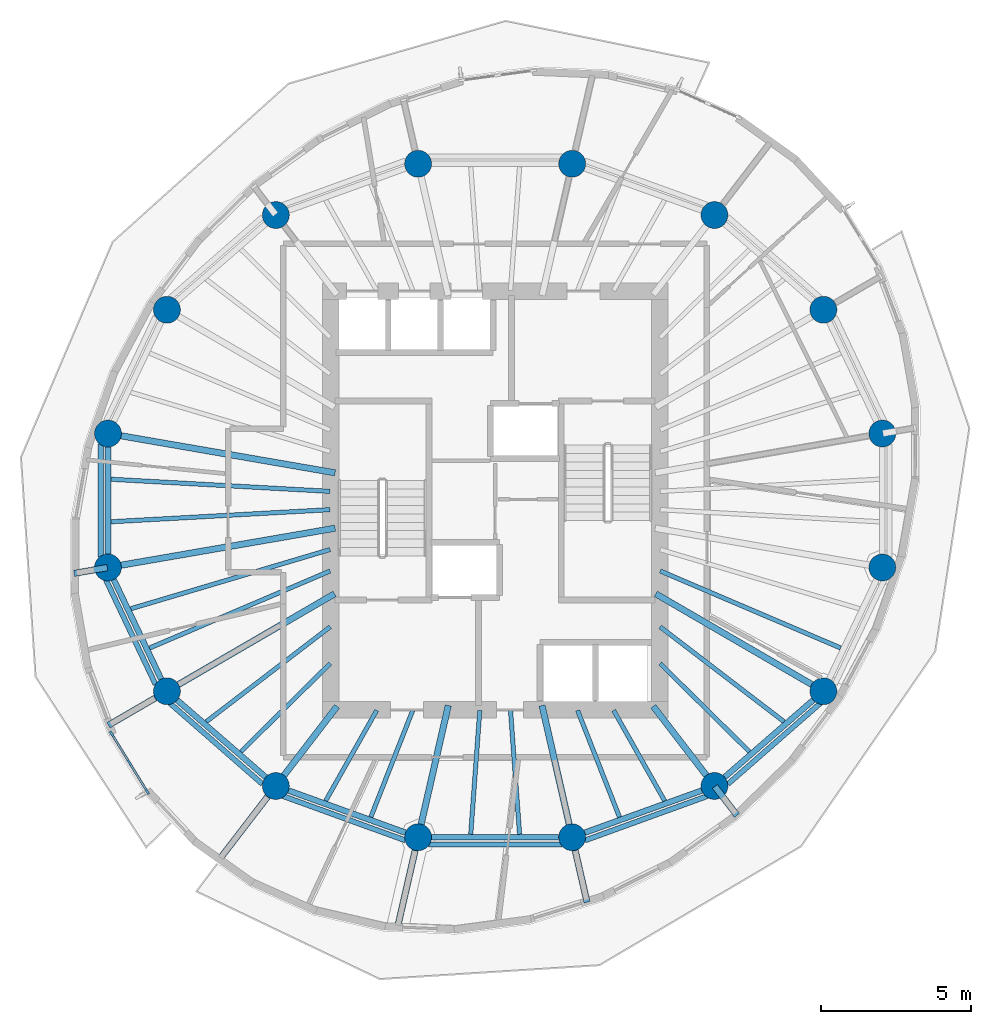
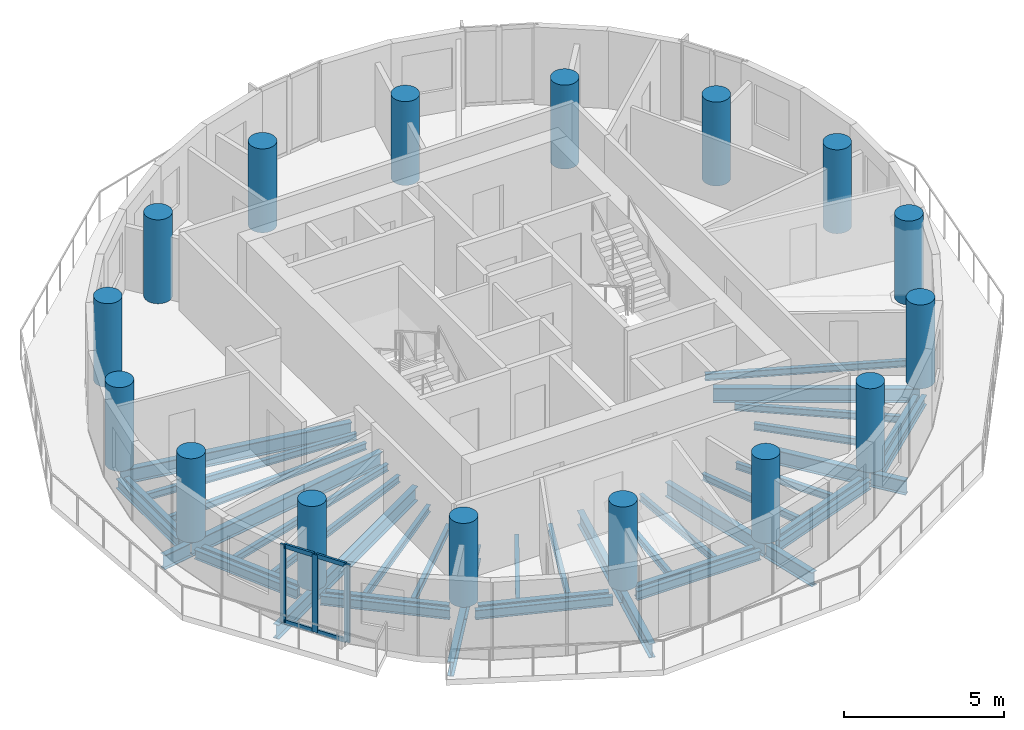
# One storey, part 1 of 10: 43 beams, 16 columns, 7 members, 1 element without a shape of its own.
"""IFC4 building model written with IfcOpenShell, lengths in metres."""

from ifc_helpers import new_model, si_unit, direction, frame, origin, origin_2d, place, context, subcontext, project, spatial, rectangle, circle, i_section, extrude, material, material_profile, profile_set, type_object, element, aggregate, save


model = new_model("IFC4")

# Units and contexts
model_context = context("Model", 3, precision=1e-05, world=origin(), true_north=direction((0.0, 1.0)))
body_context = subcontext(model_context, "Body", "Model", "MODEL_VIEW")
ifc_project = project(units=[si_unit("LENGTHUNIT", "METRE"), si_unit("AREAUNIT", "SQUARE_METRE"), si_unit("VOLUMEUNIT", "CUBIC_METRE"), si_unit("PLANEANGLEUNIT", "RADIAN"), si_unit("MASSUNIT", "GRAM", prefix="KILO")], contexts=[model_context])

# Site, building, storey
site_placement = place(None, origin())
site = spatial("IfcSite", under=ifc_project, at=site_placement, CompositionType="ELEMENT")
building_placement = place(site_placement, origin())
building = spatial("IfcBuilding", under=site, at=building_placement, Name="Veldorim Arch Residences", CompositionType="ELEMENT")
storey_placement = place(building_placement, frame((0.0, 0.0, 195.0400390625)))
storey = spatial("IfcBuildingStorey", under=building, at=storey_placement, Name="L58", CompositionType="ELEMENT", Elevation=195.0400390625)

# Columns
ifc_material_1 = material(Name="Concrete C50/60", Category="concrete")
ifc_material_profile_1 = material_profile(ifc_material_1, circle(Radius=0.449951171875, at=origin_2d()), Name="RC_CIRC_900")
ifc_profile_set_1 = profile_set([ifc_material_profile_1], Name="Concrete C50/60")
column_type = type_object("IfcColumnType", Name="Structural Column RC_CIRC_900", PredefinedType="COLUMN", material=ifc_profile_set_1)
for number, where, z_axis, x_axis, name in (
    (1, (44.9462890625, 26.239501953125, 0.0), (0.0, 0.0, 1.0), (1.0, 0.0, 0.0), "L58 TC-Z4-01 perimeter column"),
    (2, (42.975341796875, 30.3779296875, 0.0), (0.0, 0.0, 1.0), (1.0, 0.0, 0.0), "L58 TC-Z4-02 perimeter column"),
    (3, (39.33349609375, 33.54541015625, 0.0), (0.0, 0.0, 1.0), (1.0, 0.0, 0.0), "L58 TC-Z4-03 perimeter column"),
    (4, (34.5751953125, 35.259521484375, 0.0), (0.0, 0.0, 1.0), (1.0, 0.0, 0.0), "L58 TC-Z4-04 perimeter column"),
    (5, (29.4248046875, 35.259521484375, 0.0), (0.0, 0.0, 1.0), (1.0, 0.0, 0.0), "L58 TC-Z4-05 perimeter column"),
    (6, (24.66650390625, 33.54541015625, 0.0), (0.0, 0.0, 1.0), (1.0, 0.0, 0.0), "L58 TC-Z4-06 perimeter column"),
    (7, (21.024658203125, 30.3779296875, 0.0), (0.0, 0.0, 1.0), (1.0, 0.0, 0.0), "L58 TC-Z4-07 perimeter column"),
    (8, (19.0537109375, 26.239501953125, 0.0), (0.0, 0.0, 1.0), (1.0, 0.0, 0.0), "L58 TC-Z4-08 perimeter column"),
    (9, (19.0537109375, 21.760498046875, 0.0), (0.0, 0.0, 1.0), (1.0, 0.0, 0.0), "L58 TC-Z4-09 perimeter column"),
    (10, (21.024658203125, 17.6220703125, 0.0), (0.0, 0.0, 1.0), (1.0, 0.0, 0.0), "L58 TC-Z4-10 perimeter column"),
    (11, (24.66650390625, 14.45458984375, 0.0), (0.0, 0.0, 1.0), (1.0, 0.0, 0.0), "L58 TC-Z4-11 perimeter column"),
    (12, (29.4248046875, 12.740478515625, 0.0), (0.0, 0.0, 1.0), (1.0, 0.0, 0.0), "L58 TC-Z4-12 perimeter column"),
    (13, (34.5751953125, 12.740478515625, 0.0), (0.0, 0.0, 1.0), (1.0, 0.0, 0.0), "L58 TC-Z4-13 perimeter column"),
    (14, (39.33349609375, 14.45458984375, 0.0), (0.0, 0.0, 1.0), (1.0, 0.0, 0.0), "L58 TC-Z4-14 perimeter column"),
    (15, (42.975341796875, 17.6220703125, 0.0), (0.0, 0.0, 1.0), (1.0, 0.0, 0.0), "L58 TC-Z4-15 perimeter column"),
    (16, (44.9462890625, 21.760498046875, 0.0), (0.0, 0.0, 1.0), (1.0, 0.0, 0.0), "L58 TC-Z4-16 perimeter column"),
):
    element("IfcColumn", number, at=place(storey_placement, frame(where, z_axis=z_axis, x_axis=x_axis)), inside=storey, type_object=column_type, Name=name, PredefinedType="COLUMN", context=body_context, shape_type="SweptSolid", body=[
        extrude(circle(Radius=0.449951171875, at=origin_2d()), origin(), (0.0, 0.0, 1.0), 3.199951171875),
    ])

# Beams
ifc_material_2 = material(Name="Steel S355", Category="steel")
ifc_material_profile_2 = material_profile(ifc_material_2, i_section(OverallWidth=0.2119140625, OverallDepth=0.54443359375, WebThickness=0.0126953125, FlangeThickness=0.021240234375, at=origin_2d()), Name="UB533x210x122")
ifc_profile_set_2 = profile_set([ifc_material_profile_2], Name="Steel S355")
beam_type_1 = type_object("IfcBeamType", Name="Structural Steel Beam UB533x210x122", PredefinedType="BEAM", material=ifc_profile_set_2)
for number, where, z_axis, x_axis, name in (
    (17, (26.647705078125, 24.92578125, -0.512451171875), (-0.985364974081, 0.170457818401, 0.0), (-0.170457818401, -0.985364974081, 0.0), "L58 radial floor girder 08"),
    (18, (26.647705078125, 23.07421875, -0.512451171875), (-0.985364974081, -0.170457818401, 0.0), (0.170457818401, -0.985364974081, 0.0), "L58 radial floor girder 09"),
):
    element("IfcBeam", number, at=place(storey_placement, frame(where, z_axis=z_axis, x_axis=x_axis)), inside=storey, type_object=beam_type_1, Name=name, PredefinedType="BEAM", context=body_context, shape_type="SweptSolid", body=[
        extrude(i_section(OverallWidth=0.2119140625, OverallDepth=0.54443359375, WebThickness=0.0126953125, FlangeThickness=0.021240234375, at=origin_2d()), origin(), (0.0, 0.0, 1.0), 7.68701171875),
    ])
beam_1_placement = place(storey_placement, frame((19.033935546875, 21.757080078125, -0.512451171875), z_axis=(-0.985354711989, -0.170517129816, 0.0), x_axis=(0.170517129816, -0.985354711989, 0.0)))
element("IfcBeam", 19, at=beam_1_placement, inside=storey, type_object=beam_type_1, Name="L58 radial edge cantilever girder 09", PredefinedType="BEAM", context=body_context, shape_type="SweptSolid", body=[
    extrude(i_section(OverallWidth=0.2119140625, OverallDepth=0.54443359375, WebThickness=0.0126953125, FlangeThickness=0.021240234375, at=origin_2d()), origin(), (0.0, 0.0, 1.0), 1.12548828125),
])
beam_2_placement = place(storey_placement, frame((26.629638671875, 20.87939453125, -0.512451171875), z_axis=(-0.864595736304, -0.502468121142, 0.0), x_axis=(0.502468121142, -0.864595736304, 0.0)))
element("IfcBeam", 20, at=beam_2_placement, inside=storey, type_object=beam_type_1, Name="L58 radial floor girder 10", PredefinedType="BEAM", context=body_context, shape_type="SweptSolid", body=[
    extrude(i_section(OverallWidth=0.2119140625, OverallDepth=0.54443359375, WebThickness=0.0126953125, FlangeThickness=0.021240234375, at=origin_2d()), origin(), (0.0, 0.0, 1.0), 6.462646484375),
])
beam_3_placement = place(storey_placement, frame((21.00732421875, 17.612060546875, -0.512451171875), z_axis=(-0.86461626896, -0.502432788988, 0.0), x_axis=(0.502432788988, -0.86461626896, 0.0)))
element("IfcBeam", 21, at=beam_3_placement, inside=storey, type_object=beam_type_1, Name="L58 radial edge cantilever girder 10", PredefinedType="BEAM", context=body_context, shape_type="SweptSolid", body=[
    extrude(i_section(OverallWidth=0.2119140625, OverallDepth=0.54443359375, WebThickness=0.0126953125, FlangeThickness=0.021240234375, at=origin_2d()), origin(), (0.0, 0.0, 1.0), 2.238525390625),
])
beam_4_placement = place(storey_placement, frame((26.71337890625, 17.118896484375, -0.512451171875), z_axis=(-0.609258442308, -0.792971721108, 0.0), x_axis=(0.792971721108, -0.609258442308, 0.0)))
element("IfcBeam", 22, at=beam_4_placement, inside=storey, type_object=beam_type_1, Name="L58 radial floor girder 11", PredefinedType="BEAM", context=body_context, shape_type="SweptSolid", body=[
    extrude(i_section(OverallWidth=0.2119140625, OverallDepth=0.54443359375, WebThickness=0.0126953125, FlangeThickness=0.021240234375, at=origin_2d()), origin(), (0.0, 0.0, 1.0), 3.339599609375),
])
beam_5_placement = place(storey_placement, frame((24.654296875, 14.438720703125, -0.512451171875), z_axis=(-0.609260847512, -0.792969873128, 0.0), x_axis=(0.792969873128, -0.609260847512, 0.0)))
element("IfcBeam", 23, at=beam_5_placement, inside=storey, type_object=beam_type_1, Name="L58 radial edge cantilever girder 11", PredefinedType="BEAM", context=body_context, shape_type="SweptSolid", body=[
    extrude(i_section(OverallWidth=0.2119140625, OverallDepth=0.54443359375, WebThickness=0.0126953125, FlangeThickness=0.021240234375, at=origin_2d()), origin(), (0.0, 0.0, 1.0), 3.09521484375),
])
beam_6_placement = place(storey_placement, frame((30.432373046875, 17.146240234375, -0.512451171875), z_axis=(-0.222952976993, -0.97482920045, 0.0), x_axis=(0.97482920045, -0.222952976993, 0.0)))
element("IfcBeam", 24, at=beam_6_placement, inside=storey, type_object=beam_type_1, Name="L58 radial floor girder 12", PredefinedType="BEAM", context=body_context, shape_type="SweptSolid", body=[
    extrude(i_section(OverallWidth=0.2119140625, OverallDepth=0.54443359375, WebThickness=0.0126953125, FlangeThickness=0.021240234375, at=origin_2d()), origin(), (0.0, 0.0, 1.0), 4.49951171875),
])
beam_7_placement = place(storey_placement, frame((29.42041015625, 12.72119140625, -0.512451171875), z_axis=(-0.222992392333, -0.974820184937, 0.0), x_axis=(0.974820184937, -0.222992392333, 0.0)))
element("IfcBeam", 25, at=beam_7_placement, inside=storey, type_object=beam_type_1, Name="L58 radial edge cantilever girder 12", PredefinedType="BEAM", context=body_context, shape_type="SweptSolid", body=[
    extrude(i_section(OverallWidth=0.2119140625, OverallDepth=0.54443359375, WebThickness=0.0126953125, FlangeThickness=0.021240234375, at=origin_2d()), origin(), (0.0, 0.0, 1.0), 3.085205078125),
])
beam_8_placement = place(storey_placement, frame((33.567626953125, 17.146240234375, -0.512451171875), z_axis=(0.222952976993, -0.97482920045, 0.0), x_axis=(0.97482920045, 0.222952976993, 0.0)))
element("IfcBeam", 26, at=beam_8_placement, inside=storey, type_object=beam_type_1, Name="L58 radial floor girder 13", PredefinedType="BEAM", context=body_context, shape_type="SweptSolid", body=[
    extrude(i_section(OverallWidth=0.2119140625, OverallDepth=0.54443359375, WebThickness=0.0126953125, FlangeThickness=0.021240234375, at=origin_2d()), origin(), (0.0, 0.0, 1.0), 4.49951171875),
])
beam_9_placement = place(storey_placement, frame((34.57958984375, 12.72119140625, -0.512451171875), z_axis=(0.223010839713, -0.974815964872, 0.0), x_axis=(0.974815964872, 0.223010839713, 0.0)))
element("IfcBeam", 27, at=beam_9_placement, inside=storey, type_object=beam_type_1, Name="L58 radial edge cantilever girder 13", PredefinedType="BEAM", context=body_context, shape_type="SweptSolid", body=[
    extrude(i_section(OverallWidth=0.2119140625, OverallDepth=0.54443359375, WebThickness=0.0126953125, FlangeThickness=0.021240234375, at=origin_2d()), origin(), (0.0, 0.0, 1.0), 2.209228515625),
])
beam_10_placement = place(storey_placement, frame((37.28662109375, 17.118896484375, -0.512451171875), z_axis=(0.609258442308, -0.792971721108, 0.0), x_axis=(0.792971721108, 0.609258442308, 0.0)))
element("IfcBeam", 28, at=beam_10_placement, inside=storey, type_object=beam_type_1, Name="L58 radial floor girder 14", PredefinedType="BEAM", context=body_context, shape_type="SweptSolid", body=[
    extrude(i_section(OverallWidth=0.2119140625, OverallDepth=0.54443359375, WebThickness=0.0126953125, FlangeThickness=0.021240234375, at=origin_2d()), origin(), (0.0, 0.0, 1.0), 3.339599609375),
])
beam_11_placement = place(storey_placement, frame((39.345703125, 14.438720703125, -0.512451171875), z_axis=(0.609217205993, -0.793003402214, 0.0), x_axis=(0.793003402214, 0.609217205993, 0.0)))
element("IfcBeam", 29, at=beam_11_placement, inside=storey, type_object=beam_type_1, Name="L58 radial edge cantilever girder 14", PredefinedType="BEAM", context=body_context, shape_type="SweptSolid", body=[
    extrude(i_section(OverallWidth=0.2119140625, OverallDepth=0.54443359375, WebThickness=0.0126953125, FlangeThickness=0.021240234375, at=origin_2d()), origin(), (0.0, 0.0, 1.0), 1.219482421875),
])
beam_12_placement = place(storey_placement, frame((37.370361328125, 20.87939453125, -0.512451171875), z_axis=(0.864595736304, -0.502468121142, 0.0), x_axis=(0.502468121142, 0.864595736304, 0.0)))
element("IfcBeam", 30, at=beam_12_placement, inside=storey, type_object=beam_type_1, Name="L58 radial floor girder 15", PredefinedType="BEAM", context=body_context, shape_type="SweptSolid", body=[
    extrude(i_section(OverallWidth=0.2119140625, OverallDepth=0.54443359375, WebThickness=0.0126953125, FlangeThickness=0.021240234375, at=origin_2d()), origin(), (0.0, 0.0, 1.0), 6.462646484375),
])
ifc_material_3 = material(Name="Steel S355", Category="steel")
ifc_material_profile_3 = material_profile(ifc_material_3, i_section(OverallWidth=0.146484375, OverallDepth=0.256103515625, WebThickness=0.00634765625, FlangeThickness=0.010986328125, at=origin_2d()), Name="UB254x146x37")
ifc_profile_set_3 = profile_set([ifc_material_profile_3], Name="Steel S355")
beam_type_2 = type_object("IfcBeamType", Name="Structural Steel Joist UB254x146x37", PredefinedType="JOIST", material=ifc_profile_set_3)
for number, where, z_axis, x_axis, name in (
    (31, (26.47998046875, 24.3056640625, -0.367919921875), (-0.998472000884, 0.055259962464, 0.0), (-0.055259962464, -0.998472000884, 0.0), "L58 secondary radial floor joist 08-1"),
    (32, (26.47998046875, 23.6943359375, -0.367919921875), (-0.998472000884, -0.055259962464, 0.0), (0.055259962464, -0.998472000884, 0.0), "L58 secondary radial floor joist 08-2"),
):
    element("IfcBeam", number, at=place(storey_placement, frame(where, z_axis=z_axis, x_axis=x_axis)), inside=storey, type_object=beam_type_2, Name=name, PredefinedType="JOIST", context=body_context, shape_type="SweptSolid", body=[
        extrude(i_section(OverallWidth=0.146484375, OverallDepth=0.256103515625, WebThickness=0.00634765625, FlangeThickness=0.010986328125, at=origin_2d()), origin(), (0.0, 0.0, 1.0), 7.33837890625),
    ])
beam_13_placement = place(storey_placement, frame((26.480712890625, 22.360595703125, -0.367919921875), z_axis=(-0.958594432792, -0.284774846889, 0.0), x_axis=(0.284774846889, -0.958594432792, 0.0)))
element("IfcBeam", 33, at=beam_13_placement, inside=storey, type_object=beam_type_2, Name="L58 secondary radial floor joist 09-1", PredefinedType="JOIST", context=body_context, shape_type="SweptSolid", body=[
    extrude(i_section(OverallWidth=0.146484375, OverallDepth=0.256103515625, WebThickness=0.00634765625, FlangeThickness=0.010986328125, at=origin_2d()), origin(), (0.0, 0.0, 1.0), 6.949462890625),
])
beam_14_placement = place(storey_placement, frame((26.481689453125, 21.644287109375, -0.367919921875), z_axis=(-0.919725161652, -0.392562895629, 0.0), x_axis=(0.392562895629, -0.919725161652, 0.0)))
element("IfcBeam", 34, at=beam_14_placement, inside=storey, type_object=beam_type_2, Name="L58 secondary radial floor joist 09-2", PredefinedType="JOIST", context=body_context, shape_type="SweptSolid", body=[
    extrude(i_section(OverallWidth=0.146484375, OverallDepth=0.256103515625, WebThickness=0.00634765625, FlangeThickness=0.010986328125, at=origin_2d()), origin(), (0.0, 0.0, 1.0), 6.5625),
])
beam_15_placement = place(storey_placement, frame((26.484130859375, 19.777099609375, -0.367919921875), z_axis=(-0.794013672216, -0.607899899929, 0.0), x_axis=(0.607899899929, -0.794013672216, 0.0)))
element("IfcBeam", 35, at=beam_15_placement, inside=storey, type_object=beam_type_2, Name="L58 secondary radial floor joist 10-1", PredefinedType="JOIST", context=body_context, shape_type="SweptSolid", body=[
    extrude(i_section(OverallWidth=0.146484375, OverallDepth=0.256103515625, WebThickness=0.00634765625, FlangeThickness=0.010986328125, at=origin_2d()), origin(), (0.0, 0.0, 1.0), 5.217041015625),
])
beam_16_placement = place(storey_placement, frame((26.48583984375, 18.55224609375, -0.367919921875), z_axis=(-0.711396725432, -0.702790650937, 0.0), x_axis=(0.702790650937, -0.711396725432, 0.0)))
element("IfcBeam", 36, at=beam_16_placement, inside=storey, type_object=beam_type_2, Name="L58 secondary radial floor joist 10-2", PredefinedType="JOIST", context=body_context, shape_type="SweptSolid", body=[
    extrude(i_section(OverallWidth=0.146484375, OverallDepth=0.256103515625, WebThickness=0.00634765625, FlangeThickness=0.010986328125, at=origin_2d()), origin(), (0.0, 0.0, 1.0), 4.198486328125),
])
beam_17_placement = place(storey_placement, frame((28.039794921875, 16.982666015625, -0.367919921875), z_axis=(-0.491452469585, -0.870904397818, 0.0), x_axis=(0.870904397818, -0.491452469585, 0.0)))
element("IfcBeam", 37, at=beam_17_placement, inside=storey, type_object=beam_type_2, Name="L58 secondary radial floor joist 11-1", PredefinedType="JOIST", context=body_context, shape_type="SweptSolid", body=[
    extrude(i_section(OverallWidth=0.146484375, OverallDepth=0.256103515625, WebThickness=0.00634765625, FlangeThickness=0.010986328125, at=origin_2d()), origin(), (0.0, 0.0, 1.0), 3.472412109375),
])
beam_18_placement = place(storey_placement, frame((29.24365234375, 16.9814453125, -0.367919921875), z_axis=(-0.365581383042, -0.930779379001, 0.0), x_axis=(0.930779379001, -0.365581383042, 0.0)))
element("IfcBeam", 38, at=beam_18_placement, inside=storey, type_object=beam_type_2, Name="L58 secondary radial floor joist 11-2", PredefinedType="JOIST", context=body_context, shape_type="SweptSolid", body=[
    extrude(i_section(OverallWidth=0.146484375, OverallDepth=0.256103515625, WebThickness=0.00634765625, FlangeThickness=0.010986328125, at=origin_2d()), origin(), (0.0, 0.0, 1.0), 3.83056640625),
])
for number, where, z_axis, x_axis, name in (
    (39, (31.486083984375, 16.97998046875, -0.367919921875), (-0.072985625899, -0.997332992742, 0.0), (0.997332992742, -0.072985625899, 0.0), "L58 secondary radial floor joist 12-1"),
    (40, (32.513916015625, 16.97998046875, -0.367919921875), (0.072985625899, -0.997332992742, 0.0), (0.997332992742, 0.072985625899, 0.0), "L58 secondary radial floor joist 12-2"),
):
    element("IfcBeam", number, at=place(storey_placement, frame(where, z_axis=z_axis, x_axis=x_axis)), inside=storey, type_object=beam_type_2, Name=name, PredefinedType="JOIST", context=body_context, shape_type="SweptSolid", body=[
        extrude(i_section(OverallWidth=0.146484375, OverallDepth=0.256103515625, WebThickness=0.00634765625, FlangeThickness=0.010986328125, at=origin_2d()), origin(), (0.0, 0.0, 1.0), 4.151123046875),
    ])
beam_19_placement = place(storey_placement, frame((34.75634765625, 16.9814453125, -0.367919921875), z_axis=(0.365581383042, -0.930779379001, 0.0), x_axis=(0.930779379001, 0.365581383042, 0.0)))
element("IfcBeam", 41, at=beam_19_placement, inside=storey, type_object=beam_type_2, Name="L58 secondary radial floor joist 13-1", PredefinedType="JOIST", context=body_context, shape_type="SweptSolid", body=[
    extrude(i_section(OverallWidth=0.146484375, OverallDepth=0.256103515625, WebThickness=0.00634765625, FlangeThickness=0.010986328125, at=origin_2d()), origin(), (0.0, 0.0, 1.0), 3.83056640625),
])
beam_20_placement = place(storey_placement, frame((35.960205078125, 16.982666015625, -0.367919921875), z_axis=(0.491452469585, -0.870904397818, 0.0), x_axis=(0.870904397818, 0.491452469585, 0.0)))
element("IfcBeam", 42, at=beam_20_placement, inside=storey, type_object=beam_type_2, Name="L58 secondary radial floor joist 13-2", PredefinedType="JOIST", context=body_context, shape_type="SweptSolid", body=[
    extrude(i_section(OverallWidth=0.146484375, OverallDepth=0.256103515625, WebThickness=0.00634765625, FlangeThickness=0.010986328125, at=origin_2d()), origin(), (0.0, 0.0, 1.0), 3.472412109375),
])
beam_21_placement = place(storey_placement, frame((37.51416015625, 18.55224609375, -0.367919921875), z_axis=(0.711396725432, -0.702790650937, 0.0), x_axis=(0.702790650937, 0.711396725432, 0.0)))
element("IfcBeam", 43, at=beam_21_placement, inside=storey, type_object=beam_type_2, Name="L58 secondary radial floor joist 14-1", PredefinedType="JOIST", context=body_context, shape_type="SweptSolid", body=[
    extrude(i_section(OverallWidth=0.146484375, OverallDepth=0.256103515625, WebThickness=0.00634765625, FlangeThickness=0.010986328125, at=origin_2d()), origin(), (0.0, 0.0, 1.0), 4.198486328125),
])
beam_22_placement = place(storey_placement, frame((37.515869140625, 19.777099609375, -0.367919921875), z_axis=(0.794013672216, -0.607899899929, 0.0), x_axis=(0.607899899929, 0.794013672216, 0.0)))
element("IfcBeam", 44, at=beam_22_placement, inside=storey, type_object=beam_type_2, Name="L58 secondary radial floor joist 14-2", PredefinedType="JOIST", context=body_context, shape_type="SweptSolid", body=[
    extrude(i_section(OverallWidth=0.146484375, OverallDepth=0.256103515625, WebThickness=0.00634765625, FlangeThickness=0.010986328125, at=origin_2d()), origin(), (0.0, 0.0, 1.0), 5.217041015625),
])
beam_23_placement = place(storey_placement, frame((37.518310546875, 21.644287109375, -0.367919921875), z_axis=(0.919725161652, -0.392562895629, 0.0), x_axis=(0.392562895629, 0.919725161652, 0.0)))
element("IfcBeam", 45, at=beam_23_placement, inside=storey, type_object=beam_type_2, Name="L58 secondary radial floor joist 15-1", PredefinedType="JOIST", context=body_context, shape_type="SweptSolid", body=[
    extrude(i_section(OverallWidth=0.146484375, OverallDepth=0.256103515625, WebThickness=0.00634765625, FlangeThickness=0.010986328125, at=origin_2d()), origin(), (0.0, 0.0, 1.0), 6.5625),
])
ifc_material_4 = material(Name="Steel S355", Category="steel")
ifc_material_profile_4 = material_profile(ifc_material_4, i_section(OverallWidth=0.172119140625, OverallDepth=0.35791015625, WebThickness=0.008056640625, FlangeThickness=0.012939453125, at=origin_2d()), Name="UB356x171x57")
ifc_profile_set_4 = profile_set([ifc_material_profile_4], Name="Steel S355")
beam_type_3 = type_object("IfcBeamType", Name="Structural Steel Spandrel UB356x171x57", PredefinedType="SPANDREL", material=ifc_profile_set_4)
beam_24_placement = place(storey_placement, frame((18.809814453125, 25.8857421875, -0.43896484375), z_axis=(0.0, -1.0, 0.0), x_axis=(1.0, 0.0, 0.0)))
element("IfcBeam", 46, at=beam_24_placement, inside=storey, type_object=beam_type_3, Name="L58 perimeter chord spandrel beam 08", PredefinedType="SPANDREL", context=body_context, shape_type="SweptSolid", body=[
    extrude(i_section(OverallWidth=0.172119140625, OverallDepth=0.35791015625, WebThickness=0.008056640625, FlangeThickness=0.012939453125, at=origin_2d()), origin(), (0.0, 0.0, 1.0), 3.771484375),
])
beam_25_placement = place(storey_placement, frame((18.9794921875, 21.3603515625, -0.43896484375), z_axis=(0.428408308939, -0.903585259304, 0.0), x_axis=(0.903585259304, 0.428408308939, 0.0)))
element("IfcBeam", 47, at=beam_25_placement, inside=storey, type_object=beam_type_3, Name="L58 perimeter chord spandrel beam 09", PredefinedType="SPANDREL", context=body_context, shape_type="SweptSolid", body=[
    extrude(i_section(OverallWidth=0.172119140625, OverallDepth=0.35791015625, WebThickness=0.008056640625, FlangeThickness=0.012939453125, at=origin_2d()), origin(), (0.0, 0.0, 1.0), 3.878662109375),
])
beam_26_placement = place(storey_placement, frame((21.108642578125, 17.237060546875, -0.43896484375), z_axis=(0.752847646119, -0.6581948205, 0.0), x_axis=(0.6581948205, 0.752847646119, 0.0)))
element("IfcBeam", 48, at=beam_26_placement, inside=storey, type_object=beam_type_3, Name="L58 perimeter chord spandrel beam 10", PredefinedType="SPANDREL", context=body_context, shape_type="SweptSolid", body=[
    extrude(i_section(OverallWidth=0.172119140625, OverallDepth=0.35791015625, WebThickness=0.008056640625, FlangeThickness=0.012939453125, at=origin_2d()), origin(), (0.0, 0.0, 1.0), 4.12939453125),
])
beam_27_placement = place(storey_placement, frame((24.887939453125, 14.12353515625, -0.43896484375), z_axis=(0.940164695555, -0.340720332871, 0.0), x_axis=(0.340720332871, 0.940164695555, 0.0)))
element("IfcBeam", 49, at=beam_27_placement, inside=storey, type_object=beam_type_3, Name="L58 perimeter chord spandrel beam 11", PredefinedType="SPANDREL", context=body_context, shape_type="SweptSolid", body=[
    extrude(i_section(OverallWidth=0.172119140625, OverallDepth=0.35791015625, WebThickness=0.008056640625, FlangeThickness=0.012939453125, at=origin_2d()), origin(), (0.0, 0.0, 1.0), 4.370849609375),
])
beam_28_placement = place(storey_placement, frame((29.765625, 12.499267578125, -0.43896484375), z_axis=(1.0, 0.0, 0.0), x_axis=(0.0, 1.0, 0.0)))
element("IfcBeam", 50, at=beam_28_placement, inside=storey, type_object=beam_type_3, Name="L58 perimeter chord spandrel beam 12", PredefinedType="SPANDREL", context=body_context, shape_type="SweptSolid", body=[
    extrude(i_section(OverallWidth=0.172119140625, OverallDepth=0.35791015625, WebThickness=0.008056640625, FlangeThickness=0.012939453125, at=origin_2d()), origin(), (0.0, 0.0, 1.0), 4.46875),
])
beam_29_placement = place(storey_placement, frame((35.002685546875, 12.63427734375, -0.43896484375), z_axis=(0.940164695555, 0.340720332871, 0.0), x_axis=(-0.340720332871, 0.940164695555, 0.0)))
element("IfcBeam", 51, at=beam_29_placement, inside=storey, type_object=beam_type_3, Name="L58 perimeter chord spandrel beam 13", PredefinedType="SPANDREL", context=body_context, shape_type="SweptSolid", body=[
    extrude(i_section(OverallWidth=0.172119140625, OverallDepth=0.35791015625, WebThickness=0.008056640625, FlangeThickness=0.012939453125, at=origin_2d()), origin(), (0.0, 0.0, 1.0), 4.370849609375),
])
beam_30_placement = place(storey_placement, frame((39.782470703125, 14.51904296875, -0.43896484375), z_axis=(0.752847646119, 0.6581948205, 0.0), x_axis=(-0.6581948205, 0.752847646119, 0.0)))
element("IfcBeam", 52, at=beam_30_placement, inside=storey, type_object=beam_type_3, Name="L58 perimeter chord spandrel beam 14", PredefinedType="SPANDREL", context=body_context, shape_type="SweptSolid", body=[
    extrude(i_section(OverallWidth=0.172119140625, OverallDepth=0.35791015625, WebThickness=0.008056640625, FlangeThickness=0.012939453125, at=origin_2d()), origin(), (0.0, 0.0, 1.0), 4.12939453125),
])
ifc_material_5 = material(Name="Steel S355", Category="steel")
ifc_material_profile_5 = material_profile(ifc_material_5, i_section(OverallWidth=0.19140625, OverallDepth=0.4599609375, WebThickness=0.010009765625, FlangeThickness=0.01611328125, at=origin_2d()), Name="UB457x191x82")
ifc_profile_set_5 = profile_set([ifc_material_profile_5], Name="Steel S355")
beam_type_4 = type_object("IfcBeamType", Name="Structural Steel Spandrel UB457x191x82", PredefinedType="SPANDREL", material=ifc_profile_set_5)
beam_31_placement = place(storey_placement, frame((19.0537109375, 25.78955078125, -0.469970703125), z_axis=(0.0, -1.0, 0.0), x_axis=(1.0, 0.0, 0.0)))
element("IfcBeam", 53, at=beam_31_placement, inside=storey, type_object=beam_type_4, Name="L58 perimeter ring tie beam 08", PredefinedType="SPANDREL", context=body_context, shape_type="SweptSolid", body=[
    extrude(i_section(OverallWidth=0.19140625, OverallDepth=0.4599609375, WebThickness=0.010009765625, FlangeThickness=0.01611328125, at=origin_2d()), origin(), (0.0, 0.0, 1.0), 3.5791015625),
])
beam_32_placement = place(storey_placement, frame((19.2470703125, 21.35400390625, -0.469970703125), z_axis=(0.430005613988, -0.902826213586, 0.0), x_axis=(0.902826213586, 0.430005613988, 0.0)))
element("IfcBeam", 54, at=beam_32_placement, inside=storey, type_object=beam_type_4, Name="L58 perimeter ring tie beam 09", PredefinedType="SPANDREL", context=body_context, shape_type="SweptSolid", body=[
    extrude(i_section(OverallWidth=0.19140625, OverallDepth=0.4599609375, WebThickness=0.010009765625, FlangeThickness=0.01611328125, at=origin_2d()), origin(), (0.0, 0.0, 1.0), 3.68359375),
])
beam_33_placement = place(storey_placement, frame((21.364013671875, 17.326904296875, -0.469970703125), z_axis=(0.754545285701, -0.656247980436, 0.0), x_axis=(0.656247980436, 0.754545285701, 0.0)))
element("IfcBeam", 55, at=beam_33_placement, inside=storey, type_object=beam_type_4, Name="L58 perimeter ring tie beam 10", PredefinedType="SPANDREL", context=body_context, shape_type="SweptSolid", body=[
    extrude(i_section(OverallWidth=0.19140625, OverallDepth=0.4599609375, WebThickness=0.010009765625, FlangeThickness=0.01611328125, at=origin_2d()), origin(), (0.0, 0.0, 1.0), 3.9267578125),
])
beam_34_placement = place(storey_placement, frame((25.08984375, 14.30224609375, -0.469970703125), z_axis=(0.940811035395, -0.338931550137, 0.0), x_axis=(0.338931550137, 0.940811035395, 0.0)))
element("IfcBeam", 56, at=beam_34_placement, inside=storey, type_object=beam_type_4, Name="L58 perimeter ring tie beam 11", PredefinedType="SPANDREL", context=body_context, shape_type="SweptSolid", body=[
    extrude(i_section(OverallWidth=0.19140625, OverallDepth=0.4599609375, WebThickness=0.010009765625, FlangeThickness=0.01611328125, at=origin_2d()), origin(), (0.0, 0.0, 1.0), 4.15771484375),
])
beam_35_placement = place(storey_placement, frame((29.874755859375, 12.740478515625, -0.469970703125), z_axis=(1.0, 0.0, 0.0), x_axis=(0.0, 1.0, 0.0)))
element("IfcBeam", 57, at=beam_35_placement, inside=storey, type_object=beam_type_4, Name="L58 perimeter ring tie beam 12", PredefinedType="SPANDREL", context=body_context, shape_type="SweptSolid", body=[
    extrude(i_section(OverallWidth=0.19140625, OverallDepth=0.4599609375, WebThickness=0.010009765625, FlangeThickness=0.01611328125, at=origin_2d()), origin(), (0.0, 0.0, 1.0), 4.25048828125),
])
beam_36_placement = place(storey_placement, frame((34.99853515625, 12.89306640625, -0.469970703125), z_axis=(0.940811035395, 0.338931550137, 0.0), x_axis=(-0.338931550137, 0.940811035395, 0.0)))
element("IfcBeam", 58, at=beam_36_placement, inside=storey, type_object=beam_type_4, Name="L58 perimeter ring tie beam 13", PredefinedType="SPANDREL", context=body_context, shape_type="SweptSolid", body=[
    extrude(i_section(OverallWidth=0.19140625, OverallDepth=0.4599609375, WebThickness=0.010009765625, FlangeThickness=0.01611328125, at=origin_2d()), origin(), (0.0, 0.0, 1.0), 4.15771484375),
])
beam_37_placement = place(storey_placement, frame((39.673095703125, 14.75, -0.469970703125), z_axis=(0.754545285701, 0.656247980436, 0.0), x_axis=(-0.656247980436, 0.754545285701, 0.0)))
element("IfcBeam", 59, at=beam_37_placement, inside=storey, type_object=beam_type_4, Name="L58 perimeter ring tie beam 14", PredefinedType="SPANDREL", context=body_context, shape_type="SweptSolid", body=[
    extrude(i_section(OverallWidth=0.19140625, OverallDepth=0.4599609375, WebThickness=0.010009765625, FlangeThickness=0.01611328125, at=origin_2d()), origin(), (0.0, 0.0, 1.0), 3.9267578125),
])

# Curtain wall, members
ifc_material_6 = material(Name="Aluminium", Category="aluminium")
curtain_wall_type = type_object("IfcCurtainWallType", Name="Zone 4 High-Altitude Unitised Curtain Wall", PredefinedType="NOTDEFINED", material=ifc_material_6)
curtain_wall_placement = place(storey_placement, origin())
curtain_wall = element("IfcCurtainWall", 60, at=curtain_wall_placement, inside=storey, type_object=curtain_wall_type, Name="L58 unitised curtain wall bay 17", PredefinedType="NOTDEFINED")
ifc_material_7 = material(Name="Aluminium", Category="aluminium")
ifc_material_profile_6 = material_profile(ifc_material_7, rectangle(XDim=0.074951171875, YDim=0.195068359375, at=origin_2d()), Name="ALU_MUL_75x195")
ifc_profile_set_6 = profile_set([ifc_material_profile_6], Name="Aluminium")
member_type_1 = type_object("IfcMemberType", Name="Zone 4 High-Altitude Unitised Curtain Wall Mullion 75x195", PredefinedType="MULLION", material=ifc_profile_set_6)
member_1_placement = place(storey_placement, frame((20.365234375, 14.26708984375, 0.0), z_axis=(0.0, 0.0, 1.0), x_axis=(-0.851801663929, -0.523864415023, 0.0)))
member_1 = element("IfcMember", 61, at=member_1_placement, type_object=member_type_1, Name="CW-Z4 mullion 1", PredefinedType="MULLION", context=body_context, shape_type="SweptSolid", body=[
    extrude(rectangle(XDim=0.074951171875, YDim=0.195068359375, at=origin_2d()), origin(), (0.0, 0.0, 1.0), 2.9599609375),
])
member_2_placement = place(storey_placement, frame((19.77001953125, 15.234619140625, 0.0), z_axis=(0.0, 0.0, 1.0), x_axis=(-0.851801663929, -0.523864415023, 0.0)))
member_2 = element("IfcMember", 62, at=member_2_placement, type_object=member_type_1, Name="CW-Z4 mullion 2", PredefinedType="MULLION", context=body_context, shape_type="SweptSolid", body=[
    extrude(rectangle(XDim=0.074951171875, YDim=0.195068359375, at=origin_2d()), origin(), (0.0, 0.0, 1.0), 2.9599609375),
])
member_3_placement = place(storey_placement, frame((19.175048828125, 16.2021484375, 0.0), z_axis=(0.0, 0.0, 1.0), x_axis=(-0.851801663929, -0.523864415023, 0.0)))
member_3 = element("IfcMember", 63, at=member_3_placement, type_object=member_type_1, Name="CW-Z4 mullion 3", PredefinedType="MULLION", context=body_context, shape_type="SweptSolid", body=[
    extrude(rectangle(XDim=0.074951171875, YDim=0.195068359375, at=origin_2d()), origin(), (0.0, 0.0, 1.0), 2.9599609375),
])
ifc_material_8 = material(Name="Aluminium", Category="aluminium")
ifc_material_profile_7 = material_profile(ifc_material_8, rectangle(XDim=0.074951171875, YDim=0.1650390625, at=origin_2d()), Name="ALU_TRN_75x165")
ifc_profile_set_7 = profile_set([ifc_material_profile_7], Name="Aluminium")
member_type_2 = type_object("IfcMemberType", Name="Zone 4 High-Altitude Unitised Curtain Wall Transom 75x165", PredefinedType="USERDEFINED", material=ifc_profile_set_7)
member_4_placement = place(storey_placement, frame((20.345458984375, 14.299072265625, 0.037353515625), z_axis=(-0.523840572691, 0.851816326682, 0.0), x_axis=(-0.851816326682, -0.523840572691, 0.0)))
member_4 = element("IfcMember", 64, at=member_4_placement, type_object=member_type_2, Name="CW-Z4 transom 1.1", ObjectType="TRANSOM", PredefinedType="USERDEFINED", context=body_context, shape_type="SweptSolid", body=[
    extrude(rectangle(XDim=0.074951171875, YDim=0.1650390625, at=origin_2d()), origin(), (0.0, 0.0, 1.0), 1.060791015625),
])
member_5_placement = place(storey_placement, frame((20.345458984375, 14.299072265625, 2.92236328125), z_axis=(-0.523840572691, 0.851816326682, 0.0), x_axis=(-0.851816326682, -0.523840572691, 0.0)))
member_5 = element("IfcMember", 65, at=member_5_placement, type_object=member_type_2, Name="CW-Z4 transom 1.2", ObjectType="TRANSOM", PredefinedType="USERDEFINED", context=body_context, shape_type="SweptSolid", body=[
    extrude(rectangle(XDim=0.074951171875, YDim=0.1650390625, at=origin_2d()), origin(), (0.0, 0.0, 1.0), 1.060791015625),
])
member_6_placement = place(storey_placement, frame((19.75048828125, 15.2666015625, 0.037353515625), z_axis=(-0.524007543384, 0.851713622338, 0.0), x_axis=(-0.851713622338, -0.524007543384, 0.0)))
member_6 = element("IfcMember", 66, at=member_6_placement, type_object=member_type_2, Name="CW-Z4 transom 2.1", ObjectType="TRANSOM", PredefinedType="USERDEFINED", context=body_context, shape_type="SweptSolid", body=[
    extrude(rectangle(XDim=0.074951171875, YDim=0.1650390625, at=origin_2d()), origin(), (0.0, 0.0, 1.0), 1.060791015625),
])
member_7_placement = place(storey_placement, frame((19.75048828125, 15.2666015625, 2.92236328125), z_axis=(-0.524007543384, 0.851713622338, 0.0), x_axis=(-0.851713622338, -0.524007543384, 0.0)))
member_7 = element("IfcMember", 67, at=member_7_placement, type_object=member_type_2, Name="CW-Z4 transom 2.2", ObjectType="TRANSOM", PredefinedType="USERDEFINED", context=body_context, shape_type="SweptSolid", body=[
    extrude(rectangle(XDim=0.074951171875, YDim=0.1650390625, at=origin_2d()), origin(), (0.0, 0.0, 1.0), 1.060791015625),
])
aggregate(curtain_wall, [member_1, member_2, member_3, member_4, member_5, member_6, member_7])

save(model, "model.ifc")
